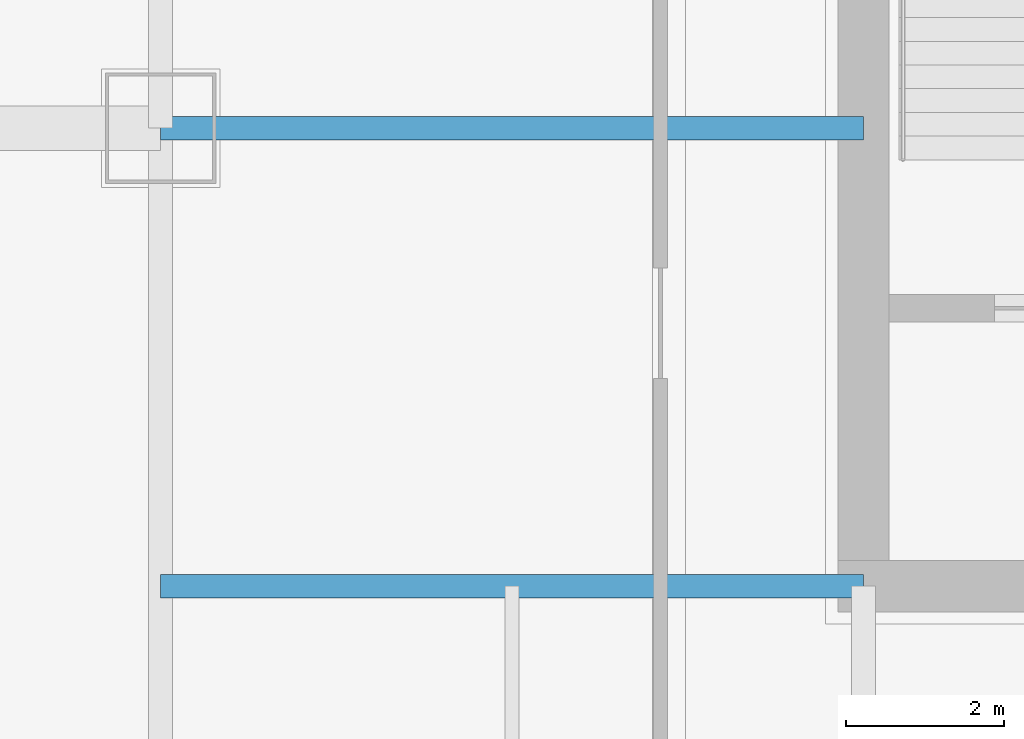
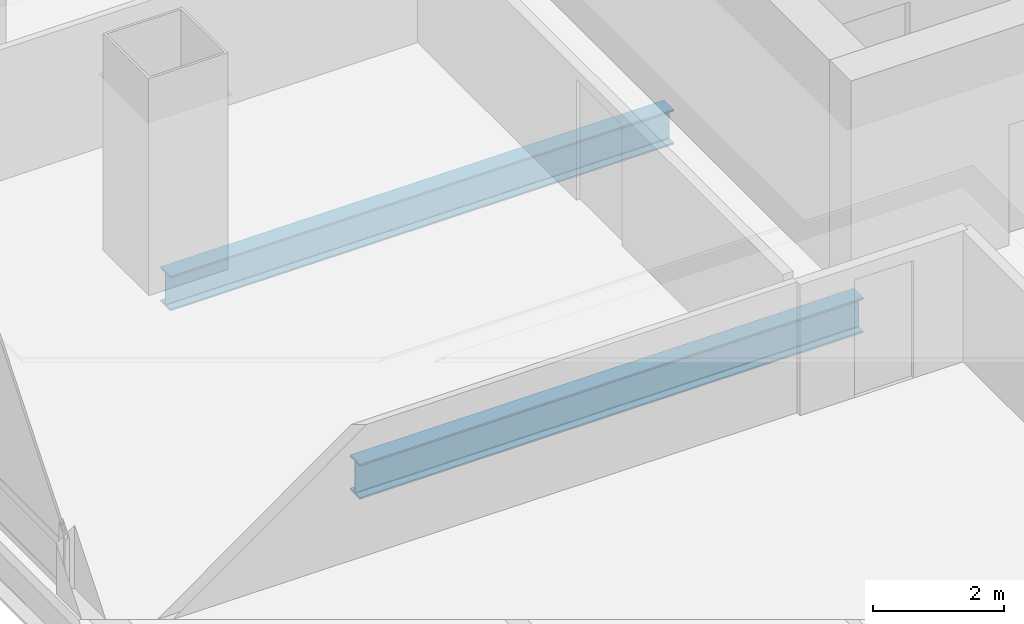
# One storey, part 5 of 47: 2 beams.
"""IFC4 building model written with IfcOpenShell, lengths in metres."""

from ifc_helpers import new_model, si_unit, direction, frame, origin, origin_2d, place, context, subcontext, project, spatial, i_section, extrude, material, material_profile, profile_set, type_object, element, save


model = new_model("IFC4")

# Units and contexts
model_context = context("Model", 3, precision=1e-05, world=origin(), true_north=direction((0.0, 1.0)))
body_context = subcontext(model_context, "Body", "Model", "MODEL_VIEW")
ifc_project = project(units=[si_unit("LENGTHUNIT", "METRE"), si_unit("AREAUNIT", "SQUARE_METRE"), si_unit("VOLUMEUNIT", "CUBIC_METRE"), si_unit("PLANEANGLEUNIT", "RADIAN"), si_unit("MASSUNIT", "GRAM", prefix="KILO")], contexts=[model_context])

# Site, building, storey
site_placement = place(None, origin())
site = spatial("IfcSite", under=ifc_project, at=site_placement, CompositionType="ELEMENT")
building_placement = place(site_placement, origin())
building = spatial("IfcBuilding", under=site, at=building_placement, Name="Punatoya Terracotta Tower", CompositionType="ELEMENT")
storey_placement = place(building_placement, frame((0.0, 0.0, 168.14990234375)))
storey = spatial("IfcBuildingStorey", under=building, at=storey_placement, Name="L39", CompositionType="ELEMENT", Elevation=168.14990234375)

# Beams
ifc_material = material(Name="Steel S355", Category="steel")
ifc_material_profile = material_profile(ifc_material, i_section(OverallWidth=0.300048828125, OverallDepth=0.64990234375, WebThickness=0.01611328125, FlangeThickness=0.031005859375, FilletRadius=0.01806640625, at=origin_2d()))
ifc_profile_set = profile_set([ifc_material_profile], Name="Steel S355")
beam_type = type_object("IfcBeamType", Name="BM-PRI-650", PredefinedType="BEAM", material=ifc_profile_set)
for number, where, z_axis, x_axis, name in (
    (1, (-19.10009765625, -9.199951171875, -0.544921875), (1.0, 0.0, 0.0), (0.0, 1.0, 0.0), "BM-L39-PR-WS"),
    (2, (-19.10009765625, -3.39990234375, -0.544921875), (1.0, 0.0, 0.0), (0.0, 1.0, 0.0), "BM-L39-PR-WD"),
):
    element("IfcBeam", number, at=place(storey_placement, frame(where, z_axis=z_axis, x_axis=x_axis)), inside=storey, type_object=beam_type, Name=name, PredefinedType="BEAM", context=body_context, shape_type="SweptSolid", body=[
        extrude(i_section(OverallWidth=0.300048828125, OverallDepth=0.64990234375, WebThickness=0.01611328125, FlangeThickness=0.031005859375, FilletRadius=0.01806640625, at=origin_2d()), origin(), (0.0, 0.0, 1.0), 8.900146484375),
    ])

save(model, "model.ifc")
